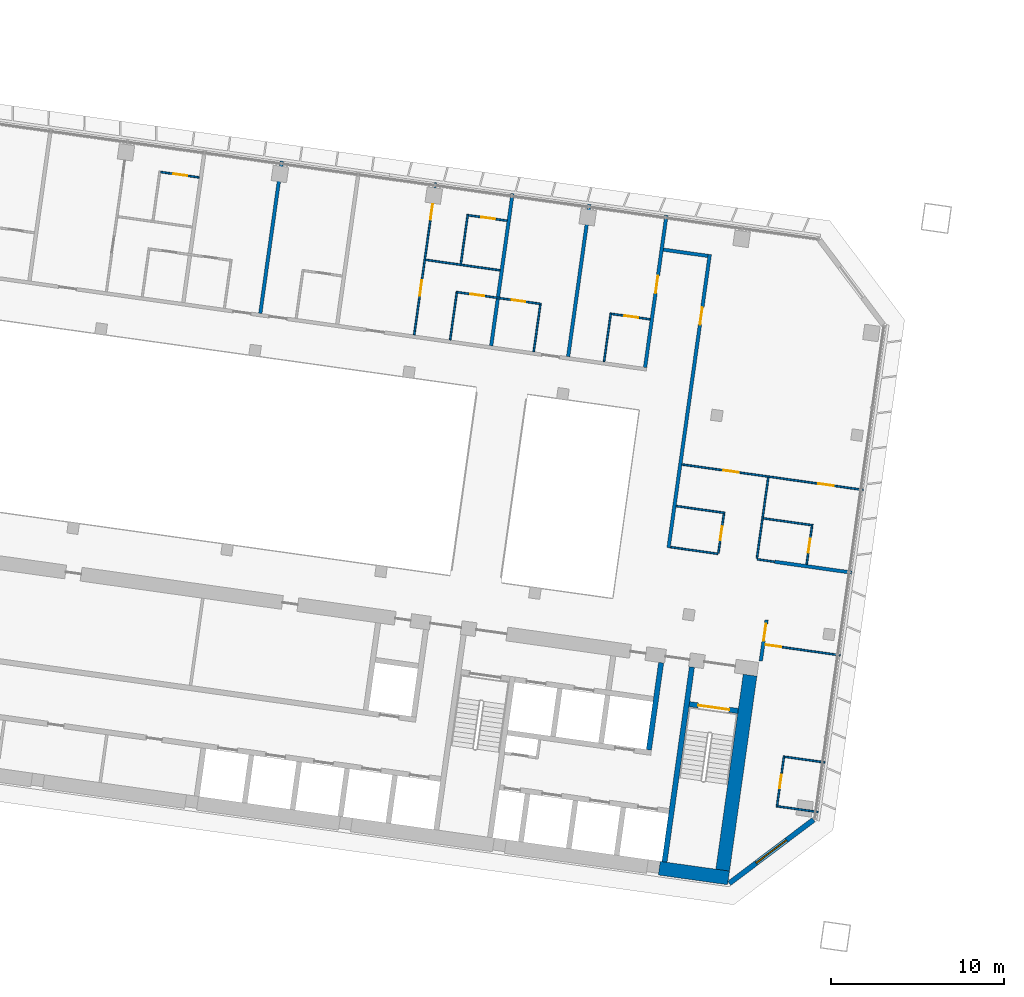
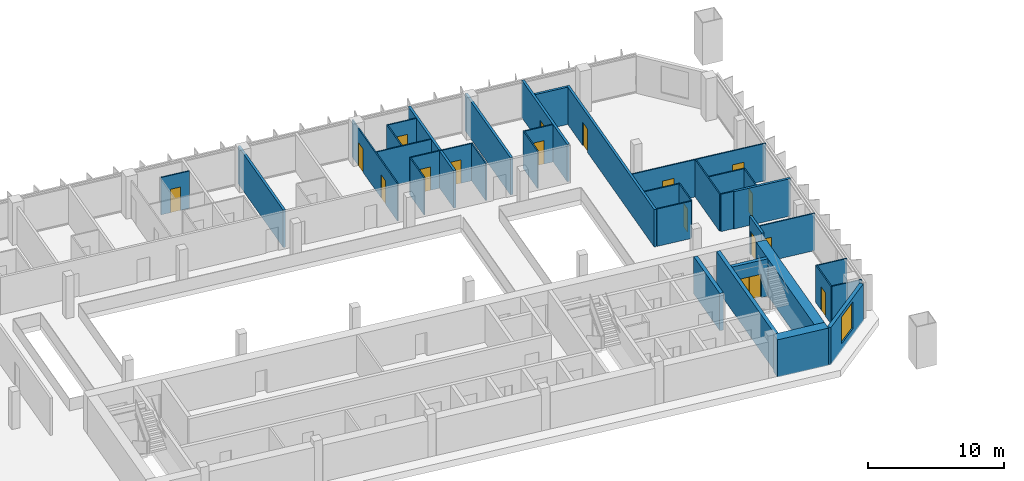
# One storey, part 18 of 26: 36 walls, 17 doors, 1 window, 18 openings.
"""IFC4 building model written with IfcOpenShell, lengths in metres."""

import ifcopenshell
import ifcopenshell.guid

model = None  # the IFC model being written
_history = None  # IfcOwnerHistory: only IFC2X3 demands one
_inside = {}  # id of a spatial element -> (the spatial element, [elements in it])
_under = {}  # id of a project, library or spatial element -> (it, [spatial elements below it])
_declared = {}  # id of a project -> (the project, [libraries it declares])
_typed = {}  # id of a type object -> (the type object, [elements of that type])
_made_of = {}  # id of a material, layer set ... -> (it, [elements and type objects made of it])


def new_model(schema):
    """Start an empty IFC model of exactly this schema.

    Asked for "IFC4X3", IfcOpenShell would pick the latest addendum, in which some entities
    have other attributes; the version numbers below select the first issue.
    IFC2X3 requires an IfcOwnerHistory on every rooted entity: one is made here for all.
    """
    global model, _history
    if schema == "IFC4X3":
        model = ifcopenshell.file(schema_version=(4, 3, 0, 0))
    else:
        model = ifcopenshell.file(schema=schema)
    _inside.clear()
    _under.clear()
    _declared.clear()
    _typed.clear()
    _made_of.clear()
    _history = None
    if model.schema == "IFC2X3":
        org = make("IfcOrganization", Name="unknown")
        user = make(
            "IfcPersonAndOrganization",
            ThePerson=make("IfcPerson", FamilyName="unknown"),
            TheOrganization=org,
        )
        app = make(
            "IfcApplication",
            ApplicationDeveloper=org,
            Version="unknown",
            ApplicationFullName="unknown",
            ApplicationIdentifier="unknown",
        )
        _history = make(
            "IfcOwnerHistory",
            OwningUser=user,
            OwningApplication=app,
            ChangeAction="ADDED",
            CreationDate=0,
        )
    return model


def make(cls, **values):
    """One entity of the class cls with the attributes given. An attribute that is None is left unset."""
    return model.create_entity(
        cls, **{name: value for name, value in values.items() if value is not None}
    )


def rooted(cls, **values):
    """An entity with a GlobalId (a new one), such as an element, a storey or a relation."""
    return make(cls, GlobalId=ifcopenshell.guid.new(), OwnerHistory=_history, **values)


def si_unit(unit_type, name, prefix=None):
    """IfcSIUnit, for example si_unit("LENGTHUNIT", "METRE", prefix="MILLI")."""
    return make("IfcSIUnit", UnitType=unit_type, Prefix=prefix, Name=name)


def assignment(units):
    """IfcUnitAssignment: the units of a project."""
    return None if units is None else make("IfcUnitAssignment", Units=units)


def point(xyz):
    """IfcCartesianPoint."""
    return None if xyz is None else make("IfcCartesianPoint", Coordinates=xyz)


def direction(xyz):
    """IfcDirection."""
    return None if xyz is None else make("IfcDirection", DirectionRatios=xyz)


def frame(location, z_axis=None, x_axis=None):
    """IfcAxis2Placement3D, a coordinate frame: its origin and axes. An axis left out is left unset."""
    return make(
        "IfcAxis2Placement3D",
        Location=point(location),
        Axis=direction(z_axis),
        RefDirection=direction(x_axis),
    )


def frame_2d(location, x_axis=None):
    """IfcAxis2Placement2D, a coordinate frame in the plane: its origin and x axis."""
    return make(
        "IfcAxis2Placement2D", Location=point(location), RefDirection=direction(x_axis)
    )


def origin():
    """The frame at (0, 0, 0) with its axes left unset."""
    return frame((0.0, 0.0, 0.0))


def place(relative_to, where):
    """IfcLocalPlacement: puts the frame where relative to a parent placement (None: the world)."""
    return make(
        "IfcLocalPlacement", PlacementRelTo=relative_to, RelativePlacement=where
    )


def context(
    kind, dimensions, precision=None, world=None, true_north=None, identifier=None
):
    """IfcGeometricRepresentationContext, for example the 3D "Model" context."""
    return make(
        "IfcGeometricRepresentationContext",
        ContextIdentifier=identifier,
        ContextType=kind,
        CoordinateSpaceDimension=dimensions,
        Precision=precision,
        WorldCoordinateSystem=world,
        TrueNorth=true_north,
    )


def subcontext(parent, identifier, kind, view, scale=None):
    """IfcGeometricRepresentationSubContext, for example "Body" below "Model"."""
    return make(
        "IfcGeometricRepresentationSubContext",
        ContextIdentifier=identifier,
        ContextType=kind,
        ParentContext=parent,
        TargetScale=scale,
        TargetView=view,
    )


def project(units=None, contexts=None):
    """IfcProject with its units and contexts."""
    return rooted(
        "IfcProject",
        Name="project",
        RepresentationContexts=contexts,
        UnitsInContext=assignment(units),
    )


def spatial(cls, under=None, at=None, **own):
    """A site, building, storey or space (cls), placed at a placement, below another one or the project."""
    s = rooted(cls, ObjectPlacement=at, **own)
    if under is not None:
        _under.setdefault(under.id(), (under, []))[1].append(s)
    return s


def profile(cls, at=None, kind="AREA", **sizes):
    """A parametric profile (cls). Its sizes go by their IFC names, for example OverallWidth=200.0."""
    return make(cls, ProfileType=kind, Position=at, **sizes)


def rectangle(**sizes):
    """IfcRectangleProfileDef."""
    return profile("IfcRectangleProfileDef", **sizes)


def extrude(swept, where, along, depth):
    """IfcExtrudedAreaSolid: the profile swept, set in the frame where, extruded along a direction by depth."""
    return make(
        "IfcExtrudedAreaSolid",
        SweptArea=swept,
        Position=where,
        ExtrudedDirection=direction(along),
        Depth=depth,
    )


def shape(context_of_items, identifier, shape_type, items):
    """IfcShapeRepresentation: the items that make up one representation, for example the "Body"."""
    return make(
        "IfcShapeRepresentation",
        ContextOfItems=context_of_items,
        RepresentationIdentifier=identifier,
        RepresentationType=shape_type,
        Items=items,
    )


def material(Name=None, Category=None):
    """IfcMaterial."""
    return make("IfcMaterial", Name=Name, Category=Category)


def layer(
    of_material, thickness, ventilated=None, Name=None, Category=None, Priority=None
):
    """IfcMaterialLayer: one layer of a wall or slab, of a material (None: an air gap)."""
    return make(
        "IfcMaterialLayer",
        Material=of_material,
        LayerThickness=thickness,
        IsVentilated=ventilated,
        Name=Name,
        Category=Category,
        Priority=Priority,
    )


def layer_set(layers, Name=None):
    """IfcMaterialLayerSet."""
    return make("IfcMaterialLayerSet", MaterialLayers=layers, LayerSetName=Name)


def made_of(thing, what):
    """Note that an element or type object is made of a material, layer set ...; save() writes the relation."""
    if what is not None:
        _made_of.setdefault(what.id(), (what, []))[1].append(thing)
    return thing


def type_object(cls, material=None, **own):
    """A type object (cls), such as IfcWallType, which elements share."""
    return made_of(rooted(cls, **own), material)


def element(
    cls,
    number,
    at=None,
    inside=None,
    cuts=None,
    type_object=None,
    material=None,
    context=None,
    identifier="Body",
    shape_type=None,
    held_by="IfcProductDefinitionShape",
    body=None,
    shapes=None,
    **own,
):
    """One element of the class cls, such as IfcWall. Its Tag is "e" and its number.

    at: its placement. inside: the storey or other place that contains it. cuts: it is an
    opening in that element (IfcRelVoidsElement). A single representation is given by context,
    identifier, shape_type and body (its items); several are given by shapes. held_by: the class
    of the entity that holds the representations. save() writes the other relations.
    """
    e = rooted(cls, Tag="e%d" % number, ObjectPlacement=at, **own)
    if body is not None:
        shapes = [shape(context, identifier, shape_type, body)]
    if shapes is not None:
        e.Representation = make(held_by, Representations=shapes)
    if inside is not None:
        _inside.setdefault(inside.id(), (inside, []))[1].append(e)
    if cuts is not None:
        rooted(
            "IfcRelVoidsElement", RelatingBuildingElement=cuts, RelatedOpeningElement=e
        )
    if type_object is not None:
        _typed.setdefault(type_object.id(), (type_object, []))[1].append(e)
    return made_of(e, material)


def fill(opening, filler):
    """IfcRelFillsElement: the door or window that sits in an opening."""
    return rooted(
        "IfcRelFillsElement",
        RelatingOpeningElement=opening,
        RelatedBuildingElement=filler,
    )


def aggregate(whole, parts):
    """IfcRelAggregates: a whole, such as a stair, and the parts it consists of."""
    return rooted("IfcRelAggregates", RelatingObject=whole, RelatedObjects=parts)


def save(model, path):
    """Write the relations noted so far, then the file.

    IfcRelAggregates (storeys below a building ...), IfcRelContainedInSpatialStructure (elements
    in a storey), IfcRelDefinesByType, IfcRelAssociatesMaterial and IfcRelDeclares: one each for
    every whole, place, type object, material and project.
    """
    for whole, parts in _under.values():
        aggregate(whole, parts)
    for where, things in _inside.values():
        rooted(
            "IfcRelContainedInSpatialStructure",
            RelatedElements=things,
            RelatingStructure=where,
        )
    for kind, things in _typed.values():
        rooted("IfcRelDefinesByType", RelatedObjects=things, RelatingType=kind)
    for what, things in _made_of.values():
        rooted("IfcRelAssociatesMaterial", RelatedObjects=things, RelatingMaterial=what)
    for by, libraries in _declared.values():
        rooted("IfcRelDeclares", RelatingContext=by, RelatedDefinitions=libraries)
    model.write(path)


model = new_model("IFC4")

# Units and contexts
model_context = context("Model", 3, precision=1e-05, world=origin(), true_north=direction((0.0, 1.0)))
body_context = subcontext(model_context, "Body", "Model", "MODEL_VIEW")
ifc_project = project(units=[si_unit("LENGTHUNIT", "METRE"), si_unit("AREAUNIT", "SQUARE_METRE"), si_unit("VOLUMEUNIT", "CUBIC_METRE"), si_unit("PLANEANGLEUNIT", "RADIAN"), si_unit("MASSUNIT", "GRAM", prefix="KILO")], contexts=[model_context])

# Site, building, storey
site_placement = place(None, origin())
site = spatial("IfcSite", under=ifc_project, at=site_placement, CompositionType="ELEMENT")
building_placement = place(site_placement, origin())
building = spatial("IfcBuilding", under=site, at=building_placement, Name="Mirante Cascada Hotel Towers", CompositionType="ELEMENT")
storey_placement = place(building_placement, frame((0.0, 0.0, 144.3)))
storey = spatial("IfcBuildingStorey", under=building, at=storey_placement, Name="L33", CompositionType="ELEMENT", Elevation=144.3)

# Walls
ifc_material_1 = material(Name="Fire-rated plasterboard on metal studs")
ifc_layer_1 = layer(ifc_material_1, 0.2)
ifc_layer_set_1 = layer_set([ifc_layer_1], Name="Compartment wall 200 EI 120")
wall_type_1 = type_object("IfcWallType", Name="Compartment wall 200 EI 120", PredefinedType="PARTITIONING", material=ifc_layer_set_1)
wall_1_placement = place(storey_placement, frame((-30.0, -2.0, 0.0), z_axis=(0.0, 0.0, 1.0), x_axis=(-0.9902674, 0.1391779, 0.0)))
element("IfcWall", 1, at=wall_1_placement, inside=storey, type_object=wall_type_1, Name="Wall 1-L33-04", PredefinedType="PARTITIONING", context=body_context, shape_type="SweptSolid", body=[
    extrude(rectangle(XDim=4.5, YDim=0.2, at=frame_2d((2.25, 0.0))), origin(), (0.0, 0.0, 1.0), 3.35),
])
wall_2_placement = place(storey_placement, frame((-38.329, 16.3376, 0.0), z_axis=(0.0, 0.0, 1.0), x_axis=(-0.9902647, 0.1391971, 0.0)))
element("IfcWall", 2, at=wall_2_placement, inside=storey, type_object=wall_type_1, Name="Wall 1-L33-26", PredefinedType="PARTITIONING", context=body_context, shape_type="SweptSolid", body=[
    extrude(rectangle(XDim=2.5999, YDim=0.2, at=frame_2d((1.3, 0.0))), origin(), (0.0, 0.0, 1.0), 3.35),
])

# Wall, opening, door
wall_3_placement = place(storey_placement, frame((-35.2634, -7.1173, 0.0), z_axis=(0.0, 0.0, 1.0), x_axis=(0.1391635, 0.9902694, 0.0)))
wall_3 = element("IfcWall", 3, at=wall_3_placement, inside=storey, type_object=wall_type_1, Name="Wall 1-L33-32", PredefinedType="PARTITIONING", context=body_context, shape_type="SweptSolid", body=[
    extrude(rectangle(XDim=2.4001, YDim=0.2, at=frame_2d((1.2, 0.0))), origin(), (0.0, 0.0, 1.0), 3.35),
])
opening_1_placement = place(wall_3_placement, frame((1.1833, 0.0, 0.0)))
opening_1 = element("IfcOpeningElement", 4, at=opening_1_placement, cuts=wall_3, Name="Opening D1-L33-24", PredefinedType="OPENING", context=body_context, shape_type="SweptSolid", body=[
    extrude(rectangle(XDim=1.0, YDim=2.1, at=frame_2d((0.5, 1.05))), frame((0.0, 0.1, 0.0), z_axis=(0.0, -1.0, 0.0), x_axis=(1.0, 0.0, 0.0)), (0.0, 0.0, 1.0), 0.2),
])
ifc_material_2 = material(Name="Fire-rated timber door leaf", Category="wood")
door_type_1 = type_object("IfcDoorType", Name="Entrance door DG1 1000x2100 EI 60", OperationType="SINGLE_SWING_LEFT", PredefinedType="DOOR", material=ifc_material_2)
door_1_placement = place(opening_1_placement, frame((1.0, 0.0, 0.0), z_axis=(0.0, 0.0, 1.0), x_axis=(-1.0, 0.0, 0.0)))
door_1 = element("IfcDoor", 5, at=door_1_placement, inside=storey, type_object=door_type_1, Name="Door D1-L33-24", OperationType="SINGLE_SWING_RIGHT", OverallHeight=2.1, OverallWidth=1.0, PredefinedType="DOOR", context=body_context, shape_type="SweptSolid", body=[
    extrude(rectangle(XDim=1.0, YDim=2.1, at=frame_2d((0.5, 1.05))), frame((0.0, 0.025, 0.0), z_axis=(0.0, -1.0, 0.0), x_axis=(1.0, 0.0, 0.0)), (0.0, 0.0, 1.0), 0.05),
])
fill(opening_1, door_1)

wall_4_placement = place(storey_placement, frame((-38.216, 16.4227, 0.0), z_axis=(0.0, 0.0, 1.0), x_axis=(-0.139172, -0.9902682, 0.0)))
wall_4 = element("IfcWall", 6, at=wall_4_placement, inside=storey, type_object=wall_type_1, Name="Wall 1-L33-35", PredefinedType="PARTITIONING", context=body_context, shape_type="SweptSolid", body=[
    extrude(rectangle(XDim=17.15, YDim=0.2, at=frame_2d((8.575, 0.0))), origin(), (0.0, 0.0, 1.0), 3.35),
])
opening_2_placement = place(wall_4_placement, frame((3.1, 0.0, 0.0)))
opening_2 = element("IfcOpeningElement", 7, at=opening_2_placement, cuts=wall_4, Name="Opening D1-L33-26", PredefinedType="OPENING", context=body_context, shape_type="SweptSolid", body=[
    extrude(rectangle(XDim=1.0, YDim=2.1, at=frame_2d((0.5, 1.05))), frame((0.0, 0.1, 0.0), z_axis=(0.0, -1.0, 0.0), x_axis=(1.0, 0.0, 0.0)), (0.0, 0.0, 1.0), 0.2),
])
door_2_placement = place(opening_2_placement, origin())
door_2 = element("IfcDoor", 8, at=door_2_placement, inside=storey, type_object=door_type_1, Name="Door D1-L33-26", OperationType="SINGLE_SWING_LEFT", OverallHeight=2.1, OverallWidth=1.0, PredefinedType="DOOR", context=body_context, shape_type="SweptSolid", body=[
    extrude(rectangle(XDim=1.0, YDim=2.1, at=frame_2d((0.5, 1.05))), frame((0.0, 0.025, 0.0), z_axis=(0.0, -1.0, 0.0), x_axis=(1.0, 0.0, 0.0)), (0.0, 0.0, 1.0), 0.05),
])
fill(opening_2, door_2)

wall_5_placement = place(storey_placement, frame((-41.963, 9.8805, 0.0), z_axis=(0.0, 0.0, 1.0), x_axis=(0.1391794, 0.9902672, 0.0)))
wall_5 = element("IfcWall", 9, at=wall_5_placement, inside=storey, type_object=wall_type_1, Name="Wall 1-L33-36", PredefinedType="PARTITIONING", context=body_context, shape_type="SweptSolid", body=[
    extrude(rectangle(XDim=8.9, YDim=0.2, at=frame_2d((4.45, 0.0))), origin(), (0.0, 0.0, 1.0), 3.35),
])
opening_3_placement = place(wall_5_placement, frame((4.35, 0.0, 0.0)))
opening_3 = element("IfcOpeningElement", 10, at=opening_3_placement, cuts=wall_5, Name="Opening D1-L33-27", PredefinedType="OPENING", context=body_context, shape_type="SweptSolid", body=[
    extrude(rectangle(XDim=1.0, YDim=2.1, at=frame_2d((0.5, 1.05))), frame((0.0, 0.1, 0.0), z_axis=(0.0, -1.0, 0.0), x_axis=(1.0, 0.0, 0.0)), (0.0, 0.0, 1.0), 0.2),
])
door_3_placement = place(opening_3_placement, origin())
door_3 = element("IfcDoor", 11, at=door_3_placement, inside=storey, type_object=door_type_1, Name="Door D1-L33-27", OperationType="SINGLE_SWING_LEFT", OverallHeight=2.1, OverallWidth=1.0, PredefinedType="DOOR", context=body_context, shape_type="SweptSolid", body=[
    extrude(rectangle(XDim=1.0, YDim=2.1, at=frame_2d((0.5, 1.05))), frame((0.0, 0.025, 0.0), z_axis=(0.0, -1.0, 0.0), x_axis=(1.0, 0.0, 0.0)), (0.0, 0.0, 1.0), 0.05),
])
fill(opening_3, door_3)

# Walls
for number, where, z_axis, x_axis, name in (
    (12, (-46.4192, 10.5068, 0.0), (0.0, 0.0, 1.0), (0.1391794, 0.9902672, 0.0), "Wall 1-L33-38"),
    (13, (-50.8754, 11.1331, 0.0), (0.0, 0.0, 1.0), (0.1391794, 0.9902672, 0.0), "Wall 1-L33-40"),
    (14, (-64.244, 13.0119, 0.0), (0.0, 0.0, 1.0), (0.1391684, 0.9902687, 0.0), "Wall 1-L33-46"),
):
    element("IfcWall", number, at=place(storey_placement, frame(where, z_axis=z_axis, x_axis=x_axis)), inside=storey, type_object=wall_type_1, Name=name, PredefinedType="PARTITIONING", context=body_context, shape_type="SweptSolid", body=[
        extrude(rectangle(XDim=8.9, YDim=0.2, at=frame_2d((4.45, 0.0))), origin(), (0.0, 0.0, 1.0), 3.35),
    ])
ifc_material_3 = material(Name="Plasterboard on metal studs")
ifc_layer_2 = layer(ifc_material_3, 0.1)
ifc_layer_set_2 = layer_set([ifc_layer_2], Name="Partition 100")
wall_type_2 = type_object("IfcWallType", Name="Partition 100", PredefinedType="PARTITIONING", material=ifc_layer_set_2)
for number, where, z_axis, x_axis, name in (
    (15, (-34.2756, -15.5367, 0.0), (0.0, 0.0, 1.0), (0.9902661, -0.139187, 0.0), "Wall 1-L33-01"),
    (16, (-31.5448, -12.992, 0.0), (0.0, 0.0, 1.0), (-0.9902661, 0.139187, 0.0), "Wall 1-L33-02"),
):
    element("IfcWall", number, at=place(storey_placement, frame(where, z_axis=z_axis, x_axis=x_axis)), inside=storey, type_object=wall_type_2, Name=name, PredefinedType="PARTITIONING", context=body_context, shape_type="SweptSolid", body=[
        extrude(rectangle(XDim=2.3501, YDim=0.1, at=frame_2d((1.175, 0.0))), origin(), (0.0, 0.0, 1.0), 3.35),
    ])

# Wall, opening, door
wall_6_placement = place(storey_placement, frame((-35.0298, -6.1739, 0.0), z_axis=(0.0, 0.0, 1.0), x_axis=(0.9902665, -0.1391841, 0.0)))
wall_6 = element("IfcWall", 17, at=wall_6_placement, inside=storey, type_object=wall_type_2, Name="Wall 1-L33-03", PredefinedType="PARTITIONING", context=body_context, shape_type="SweptSolid", body=[
    extrude(rectangle(XDim=4.3999, YDim=0.1, at=frame_2d((2.2, 0.0))), origin(), (0.0, 0.0, 1.0), 3.35),
])
opening_4_placement = place(wall_6_placement, frame((0.05, 0.0, 0.0)))
opening_4 = element("IfcOpeningElement", 18, at=opening_4_placement, cuts=wall_6, Name="Opening D1-L33-01", PredefinedType="OPENING", context=body_context, shape_type="SweptSolid", body=[
    extrude(rectangle(XDim=0.9, YDim=2.1, at=frame_2d((0.45, 1.05))), frame((0.0, 0.05, 0.0), z_axis=(0.0, -1.0, 0.0), x_axis=(1.0, 0.0, 0.0)), (0.0, 0.0, 1.0), 0.1),
])
ifc_material_4 = material(Name="Timber door leaf", Category="wood")
door_type_2 = type_object("IfcDoorType", Name="Room door DG3 900x2100", OperationType="SINGLE_SWING_LEFT", PredefinedType="DOOR", material=ifc_material_4)
door_4_placement = place(opening_4_placement, frame((0.9, 0.0, 0.0), z_axis=(0.0, 0.0, 1.0), x_axis=(-1.0, 0.0, 0.0)))
door_4 = element("IfcDoor", 19, at=door_4_placement, inside=storey, type_object=door_type_2, Name="Door D1-L33-01", OperationType="SINGLE_SWING_RIGHT", OverallHeight=2.1, OverallWidth=0.9, PredefinedType="DOOR", context=body_context, shape_type="SweptSolid", body=[
    extrude(rectangle(XDim=0.9, YDim=2.1, at=frame_2d((0.45, 1.05))), frame((0.0, 0.025, 0.0), z_axis=(0.0, -1.0, 0.0), x_axis=(1.0, 0.0, 0.0)), (0.0, 0.0, 1.0), 0.05),
])
fill(opening_4, door_4)

# Walls
wall_7_placement = place(storey_placement, frame((-35.4663, -1.2318, 0.0), z_axis=(0.0, 0.0, 1.0), x_axis=(0.9902801, -0.1390877, 0.0)))
element("IfcWall", 20, at=wall_7_placement, inside=storey, type_object=wall_type_2, Name="Wall 1-L33-05", PredefinedType="PARTITIONING", context=body_context, shape_type="SweptSolid", body=[
    extrude(rectangle(XDim=0.99, YDim=0.1, at=frame_2d((0.495, 0.0))), origin(), (0.0, 0.0, 1.0), 3.35),
])
wall_8_placement = place(storey_placement, frame((-37.7538, -0.9103, 0.0), z_axis=(0.0, 0.0, 1.0), x_axis=(-0.9902645, 0.1391984, 0.0)))
element("IfcWall", 21, at=wall_8_placement, inside=storey, type_object=wall_type_2, Name="Wall 1-L33-06", PredefinedType="PARTITIONING", context=body_context, shape_type="SweptSolid", body=[
    extrude(rectangle(XDim=2.74, YDim=0.1, at=frame_2d((1.37, 0.0))), origin(), (0.0, 0.0, 1.0), 3.35),
])
wall_9_placement = place(storey_placement, frame((-35.1125, 1.1421, 0.0), z_axis=(0.0, 0.0, 1.0), x_axis=(0.9902683, -0.1391714, 0.0)))
element("IfcWall", 22, at=wall_9_placement, inside=storey, type_object=wall_type_2, Name="Wall 1-L33-09", PredefinedType="PARTITIONING", context=body_context, shape_type="SweptSolid", body=[
    extrude(rectangle(XDim=2.9, YDim=0.1, at=frame_2d((1.45, 0.0))), origin(), (0.0, 0.0, 1.0), 3.35),
])
wall_10_placement = place(storey_placement, frame((-37.3406, 1.4552, 0.0), z_axis=(0.0, 0.0, 1.0), x_axis=(-0.9902649, 0.1391957, 0.0)))
element("IfcWall", 23, at=wall_10_placement, inside=storey, type_object=wall_type_2, Name="Wall 1-L33-10", PredefinedType="PARTITIONING", context=body_context, shape_type="SweptSolid", body=[
    extrude(rectangle(XDim=2.8499, YDim=0.1, at=frame_2d((1.425, 0.0))), origin(), (0.0, 0.0, 1.0), 3.35),
])

# Wall, openings, doors
wall_11_placement = place(storey_placement, frame((-39.8242, 4.2615, 0.0), z_axis=(0.0, 0.0, 1.0), x_axis=(0.9902686, -0.1391691, 0.0)))
wall_11 = element("IfcWall", 24, at=wall_11_placement, inside=storey, type_object=wall_type_2, Name="Wall 1-L33-11", PredefinedType="PARTITIONING", context=body_context, shape_type="SweptSolid", body=[
    extrude(rectangle(XDim=10.6001, YDim=0.1, at=frame_2d((5.3, 0.0))), origin(), (0.0, 0.0, 1.0), 3.35),
])
opening_5_placement = place(wall_11_placement, frame((7.975, 0.0, 0.0)))
opening_5 = element("IfcOpeningElement", 25, at=opening_5_placement, cuts=wall_11, Name="Opening D1-L33-02", PredefinedType="OPENING", context=body_context, shape_type="SweptSolid", body=[
    extrude(rectangle(XDim=0.9, YDim=2.1, at=frame_2d((0.45, 1.05))), frame((0.0, 0.05, 0.0), z_axis=(0.0, -1.0, 0.0), x_axis=(1.0, 0.0, 0.0)), (0.0, 0.0, 1.0), 0.1),
])
opening_6_placement = place(wall_11_placement, frame((2.425, 0.0, 0.0)))
opening_6 = element("IfcOpeningElement", 26, at=opening_6_placement, cuts=wall_11, Name="Opening D1-L33-03", PredefinedType="OPENING", context=body_context, shape_type="SweptSolid", body=[
    extrude(rectangle(XDim=0.9, YDim=2.1, at=frame_2d((0.45, 1.05))), frame((0.0, 0.05, 0.0), z_axis=(0.0, -1.0, 0.0), x_axis=(1.0, 0.0, 0.0)), (0.0, 0.0, 1.0), 0.1),
])
door_5_placement = place(opening_5_placement, origin())
door_5 = element("IfcDoor", 27, at=door_5_placement, inside=storey, type_object=door_type_2, Name="Door D1-L33-02", OperationType="SINGLE_SWING_LEFT", OverallHeight=2.1, OverallWidth=0.9, PredefinedType="DOOR", context=body_context, shape_type="SweptSolid", body=[
    extrude(rectangle(XDim=0.9, YDim=2.1, at=frame_2d((0.45, 1.05))), frame((0.0, 0.025, 0.0), z_axis=(0.0, -1.0, 0.0), x_axis=(1.0, 0.0, 0.0)), (0.0, 0.0, 1.0), 0.05),
])
fill(opening_5, door_5)
door_6_placement = place(opening_6_placement, origin())
door_6 = element("IfcDoor", 28, at=door_6_placement, inside=storey, type_object=door_type_2, Name="Door D1-L33-03", OperationType="SINGLE_SWING_LEFT", OverallHeight=2.1, OverallWidth=0.9, PredefinedType="DOOR", context=body_context, shape_type="SweptSolid", body=[
    extrude(rectangle(XDim=0.9, YDim=2.1, at=frame_2d((0.45, 1.05))), frame((0.0, 0.025, 0.0), z_axis=(0.0, -1.0, 0.0), x_axis=(1.0, 0.0, 0.0)), (0.0, 0.0, 1.0), 0.05),
])
fill(opening_6, door_6)

# Wall, opening, door
wall_12_placement = place(storey_placement, frame((-43.9004, 12.9804, 0.0), z_axis=(0.0, 0.0, 1.0), x_axis=(0.9902643, -0.1391997, 0.0)))
wall_12 = element("IfcWall", 29, at=wall_12_placement, inside=storey, type_object=wall_type_2, Name="Wall 1-L33-17", PredefinedType="PARTITIONING", context=body_context, shape_type="SweptSolid", body=[
    extrude(rectangle(XDim=2.25, YDim=0.1, at=frame_2d((1.125, 0.0))), origin(), (0.0, 0.0, 1.0), 3.35),
])
opening_7_placement = place(wall_12_placement, frame((0.75, 0.0, 0.0)))
opening_7 = element("IfcOpeningElement", 30, at=opening_7_placement, cuts=wall_12, Name="Opening D1-L33-12", PredefinedType="OPENING", context=body_context, shape_type="SweptSolid", body=[
    extrude(rectangle(XDim=0.8, YDim=2.1, at=frame_2d((0.4, 1.05))), frame((0.0, 0.05, 0.0), z_axis=(0.0, -1.0, 0.0), x_axis=(1.0, 0.0, 0.0)), (0.0, 0.0, 1.0), 0.1),
])
ifc_material_5 = material(Name="Timber door leaf", Category="wood")
door_type_3 = type_object("IfcDoorType", Name="Bathroom door DG4 800x2100", OperationType="SINGLE_SWING_LEFT", PredefinedType="DOOR", material=ifc_material_5)
door_7_placement = place(opening_7_placement, origin())
door_7 = element("IfcDoor", 31, at=door_7_placement, inside=storey, type_object=door_type_3, Name="Door D1-L33-12", OperationType="SINGLE_SWING_LEFT", OverallHeight=2.1, OverallWidth=0.8, PredefinedType="DOOR", context=body_context, shape_type="SweptSolid", body=[
    extrude(rectangle(XDim=0.8, YDim=2.1, at=frame_2d((0.4, 1.05))), frame((0.0, 0.025, 0.0), z_axis=(0.0, -1.0, 0.0), x_axis=(1.0, 0.0, 0.0)), (0.0, 0.0, 1.0), 0.05),
])
fill(opening_7, door_7)

# Wall, openings, doors
wall_13_placement = place(storey_placement, frame((-47.9729, 13.5527, 0.0), z_axis=(0.0, 0.0, 1.0), x_axis=(-0.9902689, 0.139167, 0.0)))
wall_13 = element("IfcWall", 32, at=wall_13_placement, inside=storey, type_object=wall_type_2, Name="Wall 1-L33-18", PredefinedType="PARTITIONING", context=body_context, shape_type="SweptSolid", body=[
    extrude(rectangle(XDim=4.9875, YDim=0.1, at=frame_2d((2.4938, 0.0))), origin(), (0.0, 0.0, 1.0), 3.35),
])
opening_8_placement = place(wall_13_placement, frame((0.9375, 0.0, 0.0)))
opening_8 = element("IfcOpeningElement", 33, at=opening_8_placement, cuts=wall_13, Name="Opening D1-L33-13", PredefinedType="OPENING", context=body_context, shape_type="SweptSolid", body=[
    extrude(rectangle(XDim=0.8, YDim=2.1, at=frame_2d((0.4, 1.05))), frame((0.0, 0.05, 0.0), z_axis=(0.0, -1.0, 0.0), x_axis=(1.0, 0.0, 0.0)), (0.0, 0.0, 1.0), 0.1),
])
opening_9_placement = place(wall_13_placement, frame((3.3375, 0.0, 0.0)))
opening_9 = element("IfcOpeningElement", 34, at=opening_9_placement, cuts=wall_13, Name="Opening D1-L33-14", PredefinedType="OPENING", context=body_context, shape_type="SweptSolid", body=[
    extrude(rectangle(XDim=0.8, YDim=2.1, at=frame_2d((0.4, 1.05))), frame((0.0, 0.05, 0.0), z_axis=(0.0, -1.0, 0.0), x_axis=(1.0, 0.0, 0.0)), (0.0, 0.0, 1.0), 0.1),
])
door_8_placement = place(opening_8_placement, frame((0.8, 0.0, 0.0), z_axis=(0.0, 0.0, 1.0), x_axis=(-1.0, 0.0, 0.0)))
door_8 = element("IfcDoor", 35, at=door_8_placement, inside=storey, type_object=door_type_3, Name="Door D1-L33-13", OperationType="SINGLE_SWING_RIGHT", OverallHeight=2.1, OverallWidth=0.8, PredefinedType="DOOR", context=body_context, shape_type="SweptSolid", body=[
    extrude(rectangle(XDim=0.8, YDim=2.1, at=frame_2d((0.4, 1.05))), frame((0.0, 0.025, 0.0), z_axis=(0.0, -1.0, 0.0), x_axis=(1.0, 0.0, 0.0)), (0.0, 0.0, 1.0), 0.05),
])
fill(opening_8, door_8)
door_9_placement = place(opening_9_placement, origin())
door_9 = element("IfcDoor", 36, at=door_9_placement, inside=storey, type_object=door_type_3, Name="Door D1-L33-14", OperationType="SINGLE_SWING_LEFT", OverallHeight=2.1, OverallWidth=0.8, PredefinedType="DOOR", context=body_context, shape_type="SweptSolid", body=[
    extrude(rectangle(XDim=0.8, YDim=2.1, at=frame_2d((0.4, 1.05))), frame((0.0, 0.025, 0.0), z_axis=(0.0, -1.0, 0.0), x_axis=(1.0, 0.0, 0.0)), (0.0, 0.0, 1.0), 0.05),
])
fill(opening_9, door_9)

# Wall
wall_14_placement = place(storey_placement, frame((-54.6697, 16.1096, 0.0), z_axis=(0.0, 0.0, 1.0), x_axis=(0.9902683, -0.1391714, 0.0)))
element("IfcWall", 37, at=wall_14_placement, inside=storey, type_object=wall_type_2, Name="Wall 1-L33-23", PredefinedType="PARTITIONING", context=body_context, shape_type="SweptSolid", body=[
    extrude(rectangle(XDim=4.35, YDim=0.1, at=frame_2d((2.175, 0.0))), origin(), (0.0, 0.0, 1.0), 3.35),
])

# Wall, opening, door
wall_15_placement = place(storey_placement, frame((-49.9584, 18.376, 0.0), z_axis=(0.0, 0.0, 1.0), x_axis=(-0.9902705, 0.1391561, 0.0)))
wall_15 = element("IfcWall", 38, at=wall_15_placement, inside=storey, type_object=wall_type_2, Name="Wall 1-L33-28", PredefinedType="PARTITIONING", context=body_context, shape_type="SweptSolid", body=[
    extrude(rectangle(XDim=2.25, YDim=0.1, at=frame_2d((1.125, 0.0))), origin(), (0.0, 0.0, 1.0), 3.35),
])
opening_10_placement = place(wall_15_placement, frame((0.7, 0.0, 0.0)))
opening_10 = element("IfcOpeningElement", 39, at=opening_10_placement, cuts=wall_15, Name="Opening D1-L33-20", PredefinedType="OPENING", context=body_context, shape_type="SweptSolid", body=[
    extrude(rectangle(XDim=0.8, YDim=2.1, at=frame_2d((0.4, 1.05))), frame((0.0, 0.05, 0.0), z_axis=(0.0, -1.0, 0.0), x_axis=(1.0, 0.0, 0.0)), (0.0, 0.0, 1.0), 0.1),
])
door_10_placement = place(opening_10_placement, origin())
door_10 = element("IfcDoor", 40, at=door_10_placement, inside=storey, type_object=door_type_3, Name="Door D1-L33-20", OperationType="SINGLE_SWING_LEFT", OverallHeight=2.1, OverallWidth=0.8, PredefinedType="DOOR", context=body_context, shape_type="SweptSolid", body=[
    extrude(rectangle(XDim=0.8, YDim=2.1, at=frame_2d((0.4, 1.05))), frame((0.0, 0.025, 0.0), z_axis=(0.0, -1.0, 0.0), x_axis=(1.0, 0.0, 0.0)), (0.0, 0.0, 1.0), 0.05),
])
fill(opening_10, door_10)

wall_16_placement = place(storey_placement, frame((-70.0114, 21.1942, 0.0), z_axis=(0.0, 0.0, 1.0), x_axis=(0.9902705, -0.1391561, 0.0)))
wall_16 = element("IfcWall", 41, at=wall_16_placement, inside=storey, type_object=wall_type_2, Name="Wall 1-L33-29", PredefinedType="PARTITIONING", context=body_context, shape_type="SweptSolid", body=[
    extrude(rectangle(XDim=2.25, YDim=0.1, at=frame_2d((1.125, 0.0))), origin(), (0.0, 0.0, 1.0), 3.35),
])
opening_11_placement = place(wall_16_placement, frame((0.75, 0.0, 0.0)))
opening_11 = element("IfcOpeningElement", 42, at=opening_11_placement, cuts=wall_16, Name="Opening D1-L33-21", PredefinedType="OPENING", context=body_context, shape_type="SweptSolid", body=[
    extrude(rectangle(XDim=0.8, YDim=2.1, at=frame_2d((0.4, 1.05))), frame((0.0, 0.05, 0.0), z_axis=(0.0, -1.0, 0.0), x_axis=(1.0, 0.0, 0.0)), (0.0, 0.0, 1.0), 0.1),
])
door_11_placement = place(opening_11_placement, frame((0.8, 0.0, 0.0), z_axis=(0.0, 0.0, 1.0), x_axis=(-1.0, 0.0, 0.0)))
door_11 = element("IfcDoor", 43, at=door_11_placement, inside=storey, type_object=door_type_3, Name="Door D1-L33-21", OperationType="SINGLE_SWING_RIGHT", OverallHeight=2.1, OverallWidth=0.8, PredefinedType="DOOR", context=body_context, shape_type="SweptSolid", body=[
    extrude(rectangle(XDim=0.8, YDim=2.1, at=frame_2d((0.4, 1.05))), frame((0.0, 0.025, 0.0), z_axis=(0.0, -1.0, 0.0), x_axis=(1.0, 0.0, 0.0)), (0.0, 0.0, 1.0), 0.05),
])
fill(opening_11, door_11)

wall_17_placement = place(storey_placement, frame((-34.332, -15.5793, 0.0), z_axis=(0.0, 0.0, 1.0), x_axis=(0.1391624, 0.9902696, 0.0)))
wall_17 = element("IfcWall", 44, at=wall_17_placement, inside=storey, type_object=wall_type_2, Name="Wall 1-L33-30", PredefinedType="PARTITIONING", context=body_context, shape_type="SweptSolid", body=[
    extrude(rectangle(XDim=3.0001, YDim=0.1, at=frame_2d((1.5001, 0.0))), origin(), (0.0, 0.0, 1.0), 3.35),
])
opening_12_placement = place(wall_17_placement, frame((1.1, 0.0, 0.0)))
opening_12 = element("IfcOpeningElement", 45, at=opening_12_placement, cuts=wall_17, Name="Opening D1-L33-22", PredefinedType="OPENING", context=body_context, shape_type="SweptSolid", body=[
    extrude(rectangle(XDim=0.8, YDim=2.1, at=frame_2d((0.4, 1.05))), frame((0.0, 0.05, 0.0), z_axis=(0.0, -1.0, 0.0), x_axis=(1.0, 0.0, 0.0)), (0.0, 0.0, 1.0), 0.1),
])
door_12_placement = place(opening_12_placement, origin())
door_12 = element("IfcDoor", 46, at=door_12_placement, inside=storey, type_object=door_type_3, Name="Door D1-L33-22", OperationType="SINGLE_SWING_LEFT", OverallHeight=2.1, OverallWidth=0.8, PredefinedType="DOOR", context=body_context, shape_type="SweptSolid", body=[
    extrude(rectangle(XDim=0.8, YDim=2.1, at=frame_2d((0.4, 1.05))), frame((0.0, 0.025, 0.0), z_axis=(0.0, -1.0, 0.0), x_axis=(1.0, 0.0, 0.0)), (0.0, 0.0, 1.0), 0.05),
])
fill(opening_12, door_12)

wall_18_placement = place(storey_placement, frame((-32.2972, 0.6959, 0.0), z_axis=(0.0, 0.0, 1.0), x_axis=(-0.1391561, -0.9902705, 0.0)))
wall_18 = element("IfcWall", 47, at=wall_18_placement, inside=storey, type_object=wall_type_2, Name="Wall 1-L33-31", PredefinedType="PARTITIONING", context=body_context, shape_type="SweptSolid", body=[
    extrude(rectangle(XDim=2.25, YDim=0.1, at=frame_2d((1.125, 0.0))), origin(), (0.0, 0.0, 1.0), 3.35),
])
opening_13_placement = place(wall_18_placement, frame((0.75, 0.0, 0.0)))
opening_13 = element("IfcOpeningElement", 48, at=opening_13_placement, cuts=wall_18, Name="Opening D1-L33-23", PredefinedType="OPENING", context=body_context, shape_type="SweptSolid", body=[
    extrude(rectangle(XDim=0.8, YDim=2.1, at=frame_2d((0.4, 1.05))), frame((0.0, 0.05, 0.0), z_axis=(0.0, -1.0, 0.0), x_axis=(1.0, 0.0, 0.0)), (0.0, 0.0, 1.0), 0.1),
])
door_13_placement = place(opening_13_placement, frame((0.8, 0.0, 0.0), z_axis=(0.0, 0.0, 1.0), x_axis=(-1.0, 0.0, 0.0)))
door_13 = element("IfcDoor", 49, at=door_13_placement, inside=storey, type_object=door_type_3, Name="Door D1-L33-23", OperationType="SINGLE_SWING_RIGHT", OverallHeight=2.1, OverallWidth=0.8, PredefinedType="DOOR", context=body_context, shape_type="SweptSolid", body=[
    extrude(rectangle(XDim=0.8, YDim=2.1, at=frame_2d((0.4, 1.05))), frame((0.0, 0.025, 0.0), z_axis=(0.0, -1.0, 0.0), x_axis=(1.0, 0.0, 0.0)), (0.0, 0.0, 1.0), 0.05),
])
fill(opening_13, door_13)

# Wall
wall_19_placement = place(storey_placement, frame((-34.8303, 3.5092, 0.0), z_axis=(0.0, 0.0, 1.0), x_axis=(-0.1391613, -0.9902697, 0.0)))
element("IfcWall", 50, at=wall_19_placement, inside=storey, type_object=wall_type_2, Name="Wall 1-L33-33", PredefinedType="PARTITIONING", context=body_context, shape_type="SweptSolid", body=[
    extrude(rectangle(XDim=4.7334, YDim=0.1, at=frame_2d((2.3667, 0.0))), origin(), (0.0, 0.0, 1.0), 3.35),
])

# Wall, opening, door
wall_20_placement = place(storey_placement, frame((-37.7171, -0.8649, 0.0), z_axis=(0.0, 0.0, 1.0), x_axis=(0.1391749, 0.9902678, 0.0)))
wall_20 = element("IfcWall", 51, at=wall_20_placement, inside=storey, type_object=wall_type_2, Name="Wall 1-L33-34", PredefinedType="PARTITIONING", context=body_context, shape_type="SweptSolid", body=[
    extrude(rectangle(XDim=2.3, YDim=0.1, at=frame_2d((1.15, 0.0))), origin(), (0.0, 0.0, 1.0), 3.35),
])
opening_14_placement = place(wall_20_placement, frame((0.75, 0.0, 0.0)))
opening_14 = element("IfcOpeningElement", 52, at=opening_14_placement, cuts=wall_20, Name="Opening D1-L33-25", PredefinedType="OPENING", context=body_context, shape_type="SweptSolid", body=[
    extrude(rectangle(XDim=0.8, YDim=2.1, at=frame_2d((0.4, 1.05))), frame((0.0, 0.05, 0.0), z_axis=(0.0, -1.0, 0.0), x_axis=(1.0, 0.0, 0.0)), (0.0, 0.0, 1.0), 0.1),
])
door_14_placement = place(opening_14_placement, origin())
door_14 = element("IfcDoor", 53, at=door_14_placement, inside=storey, type_object=door_type_3, Name="Door D1-L33-25", OperationType="SINGLE_SWING_LEFT", OverallHeight=2.1, OverallWidth=0.8, PredefinedType="DOOR", context=body_context, shape_type="SweptSolid", body=[
    extrude(rectangle(XDim=0.8, YDim=2.1, at=frame_2d((0.4, 1.05))), frame((0.0, 0.025, 0.0), z_axis=(0.0, -1.0, 0.0), x_axis=(1.0, 0.0, 0.0)), (0.0, 0.0, 1.0), 0.05),
])
fill(opening_14, door_14)

# Walls
wall_21_placement = place(storey_placement, frame((-43.943, 13.0368, 0.0), z_axis=(0.0, 0.0, 1.0), x_axis=(-0.1391613, -0.9902697, 0.0)))
element("IfcWall", 54, at=wall_21_placement, inside=storey, type_object=wall_type_2, Name="Wall 1-L33-37", PredefinedType="PARTITIONING", context=body_context, shape_type="SweptSolid", body=[
    extrude(rectangle(XDim=2.8499, YDim=0.1, at=frame_2d((1.425, 0.0))), origin(), (0.0, 0.0, 1.0), 3.35),
])
wall_22_placement = place(storey_placement, frame((-48.0294, 13.5101, 0.0), z_axis=(0.0, 0.0, 1.0), x_axis=(-0.1391657, -0.9902691, 0.0)))
element("IfcWall", 55, at=wall_22_placement, inside=storey, type_object=wall_type_2, Name="Wall 1-L33-39", PredefinedType="PARTITIONING", context=body_context, shape_type="SweptSolid", body=[
    extrude(rectangle(XDim=2.75, YDim=0.1, at=frame_2d((1.375, 0.0))), origin(), (0.0, 0.0, 1.0), 3.35),
])
wall_23_placement = place(storey_placement, frame((-52.8693, 14.1904, 0.0), z_axis=(0.0, 0.0, 1.0), x_axis=(-0.1391607, -0.9902698, 0.0)))
element("IfcWall", 56, at=wall_23_placement, inside=storey, type_object=wall_type_2, Name="Wall 1-L33-41", PredefinedType="PARTITIONING", context=body_context, shape_type="SweptSolid", body=[
    extrude(rectangle(XDim=2.7501, YDim=0.1, at=frame_2d((1.3751, 0.0))), origin(), (0.0, 0.0, 1.0), 3.35),
])
wall_24_placement = place(storey_placement, frame((-52.6327, 15.8738, 0.0), z_axis=(0.0, 0.0, 1.0), x_axis=(0.1391714, 0.9902683, 0.0)))
element("IfcWall", 57, at=wall_24_placement, inside=storey, type_object=wall_type_2, Name="Wall 1-L33-42", PredefinedType="PARTITIONING", context=body_context, shape_type="SweptSolid", body=[
    extrude(rectangle(XDim=2.9, YDim=0.1, at=frame_2d((1.45, 0.0))), origin(), (0.0, 0.0, 1.0), 3.35),
])

# Wall, openings, doors
wall_25_placement = place(storey_placement, frame((-54.0929, 20.5728, 0.0), z_axis=(0.0, 0.0, 1.0), x_axis=(-0.1391794, -0.9902672, 0.0)))
wall_25 = element("IfcWall", 58, at=wall_25_placement, inside=storey, type_object=wall_type_2, Name="Wall 1-L33-43", PredefinedType="PARTITIONING", context=body_context, shape_type="SweptSolid", body=[
    extrude(rectangle(XDim=8.9, YDim=0.1, at=frame_2d((4.45, 0.0))), origin(), (0.0, 0.0, 1.0), 3.35),
])
opening_15_placement = place(wall_25_placement, frame((5.7, 0.0, 0.0)))
opening_15 = element("IfcOpeningElement", 59, at=opening_15_placement, cuts=wall_25, Name="Opening D1-L33-28", PredefinedType="OPENING", context=body_context, shape_type="SweptSolid", body=[
    extrude(rectangle(XDim=0.9, YDim=2.1, at=frame_2d((0.45, 1.05))), frame((0.0, 0.05, 0.0), z_axis=(0.0, -1.0, 0.0), x_axis=(1.0, 0.0, 0.0)), (0.0, 0.0, 1.0), 0.1),
])
opening_16_placement = place(wall_25_placement, frame((1.25, 0.0, 0.0)))
opening_16 = element("IfcOpeningElement", 60, at=opening_16_placement, cuts=wall_25, Name="Opening D1-L33-29", PredefinedType="OPENING", context=body_context, shape_type="SweptSolid", body=[
    extrude(rectangle(XDim=0.9, YDim=2.1, at=frame_2d((0.45, 1.05))), frame((0.0, 0.05, 0.0), z_axis=(0.0, -1.0, 0.0), x_axis=(1.0, 0.0, 0.0)), (0.0, 0.0, 1.0), 0.1),
])
door_15_placement = place(opening_15_placement, frame((0.9, 0.0, 0.0), z_axis=(0.0, 0.0, 1.0), x_axis=(-1.0, 0.0, 0.0)))
door_15 = element("IfcDoor", 61, at=door_15_placement, inside=storey, type_object=door_type_2, Name="Door D1-L33-28", OperationType="SINGLE_SWING_RIGHT", OverallHeight=2.1, OverallWidth=0.9, PredefinedType="DOOR", context=body_context, shape_type="SweptSolid", body=[
    extrude(rectangle(XDim=0.9, YDim=2.1, at=frame_2d((0.45, 1.05))), frame((0.0, 0.025, 0.0), z_axis=(0.0, -1.0, 0.0), x_axis=(1.0, 0.0, 0.0)), (0.0, 0.0, 1.0), 0.05),
])
fill(opening_15, door_15)
door_16_placement = place(opening_16_placement, frame((0.9, 0.0, 0.0), z_axis=(0.0, 0.0, 1.0), x_axis=(-1.0, 0.0, 0.0)))
door_16 = element("IfcDoor", 62, at=door_16_placement, inside=storey, type_object=door_type_2, Name="Door D1-L33-29", OperationType="SINGLE_SWING_RIGHT", OverallHeight=2.1, OverallWidth=0.9, PredefinedType="DOOR", context=body_context, shape_type="SweptSolid", body=[
    extrude(rectangle(XDim=0.9, YDim=2.1, at=frame_2d((0.45, 1.05))), frame((0.0, 0.025, 0.0), z_axis=(0.0, -1.0, 0.0), x_axis=(1.0, 0.0, 0.0)), (0.0, 0.0, 1.0), 0.05),
])
fill(opening_16, door_16)

# Wall, opening, window
ifc_material_6 = material(Name="Precast concrete C40/50", Category="concrete")
ifc_layer_3 = layer(ifc_material_6, 0.3)
ifc_layer_set_3 = layer_set([ifc_layer_3], Name="Precast concrete C40/50 cladding wall 300")
wall_type_3 = type_object("IfcWallType", Name="Precast concrete C40/50 cladding wall 300", PredefinedType="STANDARD", material=ifc_layer_set_3)
wall_26_placement = place(storey_placement, frame((-32.2074, -16.3138, 0.0), z_axis=(0.0, 0.0, 1.0), x_axis=(-0.7986362, -0.6018141, 0.0)))
wall_26 = element("IfcWall", 63, at=wall_26_placement, inside=storey, type_object=wall_type_3, Name="Corner cladding wall T1 L33 inner rear", PredefinedType="STANDARD", context=body_context, shape_type="SweptSolid", body=[
    extrude(rectangle(XDim=6.1157, YDim=0.3, at=frame_2d((3.0578, 0.0))), origin(), (0.0, 0.0, 1.0), 3.35),
])
opening_17_placement = place(wall_26_placement, frame((1.9578, 0.0, 0.6)))
opening_17 = element("IfcOpeningElement", 64, at=opening_17_placement, cuts=wall_26, Name="Opening W1-33-06", PredefinedType="OPENING", context=body_context, shape_type="SweptSolid", body=[
    extrude(rectangle(XDim=2.2, YDim=2.4, at=frame_2d((1.1, 1.2))), frame((0.0, 0.15, 0.0), z_axis=(0.0, -1.0, 0.0), x_axis=(1.0, 0.0, 0.0)), (0.0, 0.0, 1.0), 0.3),
])
ifc_material_7 = material(Name="Aluminium frame with clear double glazing", Category="aluminium")
window_type = type_object("IfcWindowType", Name="Corner suite window 2200x2400", PartitioningType="DOUBLE_PANEL_VERTICAL", PredefinedType="WINDOW", material=ifc_material_7)
window_placement = place(opening_17_placement, origin())
window = element("IfcWindow", 65, at=window_placement, inside=storey, type_object=window_type, Name="Window W1-33-06", OverallHeight=2.4, OverallWidth=2.2, PartitioningType="SINGLE_PANEL", PredefinedType="WINDOW", context=body_context, shape_type="SweptSolid", body=[
    extrude(rectangle(XDim=2.2, YDim=2.4, at=frame_2d((1.1, 1.2))), frame((0.0, 0.03, 0.0), z_axis=(0.0, -1.0, 0.0), x_axis=(1.0, 0.0, 0.0)), (0.0, 0.0, 1.0), 0.06),
])
fill(opening_17, window)

# Wall
ifc_material_8 = material(Name="Concrete C50/60", Category="concrete")
ifc_layer_4 = layer(ifc_material_8, 0.3)
ifc_layer_set_4 = layer_set([ifc_layer_4], Name="RC core wall 300 C50/60")
wall_type_4 = type_object("IfcWallType", Name="RC core wall 300 C50/60", PredefinedType="SHEAR", material=ifc_layer_set_4)
wall_27_placement = place(storey_placement, frame((-40.8373, -18.7548, 0.0), z_axis=(0.0, 0.0, 1.0), x_axis=(0.1391749, 0.9902678, 0.0)))
element("IfcWall", 66, at=wall_27_placement, inside=storey, type_object=wall_type_4, Name="Core wall T1:L33:5", PredefinedType="SHEAR", context=body_context, shape_type="SweptSolid", body=[
    extrude(rectangle(XDim=11.4, YDim=0.3, at=frame_2d((5.7, 0.0))), origin(), (0.0, 0.0, 1.0), 3.35),
])

# Wall, opening, door
wall_28_placement = place(storey_placement, frame((-36.5791, -10.0123, 0.0), z_axis=(0.0, 0.0, 1.0), x_axis=(-0.9902704, 0.1391564, 0.0)))
wall_28 = element("IfcWall", 67, at=wall_28_placement, inside=storey, type_object=wall_type_4, Name="Core wall T1:L33:9", PredefinedType="SHEAR", context=body_context, shape_type="SweptSolid", body=[
    extrude(rectangle(XDim=2.85, YDim=0.3, at=frame_2d((1.425, 0.0))), origin(), (0.0, 0.0, 1.0), 3.35),
])
opening_18_placement = place(wall_28_placement, frame((0.525, 0.0, 0.0)))
opening_18 = element("IfcOpeningElement", 68, at=opening_18_placement, cuts=wall_28, Name="Opening D1-33-C13", PredefinedType="OPENING", context=body_context, shape_type="SweptSolid", body=[
    extrude(rectangle(XDim=1.8, YDim=2.1, at=frame_2d((0.9, 1.05))), frame((0.0, 0.15, 0.0), z_axis=(0.0, -1.0, 0.0), x_axis=(1.0, 0.0, 0.0)), (0.0, 0.0, 1.0), 0.3),
])
ifc_material_9 = material(Name="Hollow metal fire door leaf")
door_type_4 = type_object("IfcDoorType", Name="Double fire door 1800x2100 FD60", OperationType="DOUBLE_DOOR_SINGLE_SWING", PredefinedType="DOOR", material=ifc_material_9)
door_17_placement = place(opening_18_placement, origin())
door_17 = element("IfcDoor", 69, at=door_17_placement, inside=storey, type_object=door_type_4, Name="Stair door T1 L33 13", OperationType="DOUBLE_DOOR_SINGLE_SWING", OverallHeight=2.1, OverallWidth=1.8, PredefinedType="DOOR", context=body_context, shape_type="SweptSolid", body=[
    extrude(rectangle(XDim=0.895, YDim=2.1, at=frame_2d((0.4475, 1.05))), frame((0.0, 0.025, 0.0), z_axis=(0.0, -1.0, 0.0), x_axis=(1.0, 0.0, 0.0)), (0.0, 0.0, 1.0), 0.05),
    extrude(rectangle(XDim=0.895, YDim=2.1, at=frame_2d((1.3525, 1.05))), frame((0.0, 0.025, 0.0), z_axis=(0.0, -1.0, 0.0), x_axis=(1.0, 0.0, 0.0)), (0.0, 0.0, 1.0), 0.05),
])
fill(opening_18, door_17)

# Walls
wall_29_placement = place(storey_placement, frame((-41.743, -12.2656, 0.0), z_axis=(0.0, 0.0, 1.0), x_axis=(0.1391755, 0.9902677, 0.0)))
element("IfcWall", 70, at=wall_29_placement, inside=storey, type_object=wall_type_4, Name="Core wall T1:L33:20", PredefinedType="SHEAR", context=body_context, shape_type="SweptSolid", body=[
    extrude(rectangle(XDim=5.1, YDim=0.3, at=frame_2d((2.55, 0.0))), origin(), (0.0, 0.0, 1.0), 3.35),
])
ifc_material_10 = material(Name="Concrete C50/60", Category="concrete")
ifc_layer_5 = layer(ifc_material_10, 0.8)
ifc_layer_set_5 = layer_set([ifc_layer_5], Name="RC core wall 800 C50/60")
wall_type_5 = type_object("IfcWallType", Name="RC core wall 800 C50/60", PredefinedType="SHEAR", material=ifc_layer_set_5)
wall_30_placement = place(storey_placement, frame((-37.1299, -19.6798, 0.0), z_axis=(0.0, 0.0, 1.0), x_axis=(-0.9902665, 0.1391845, 0.0)))
element("IfcWall", 71, at=wall_30_placement, inside=storey, type_object=wall_type_5, Name="Core wall T1:L33:1.1", PredefinedType="SHEAR", context=body_context, shape_type="SweptSolid", body=[
    extrude(rectangle(XDim=4.05, YDim=0.8, at=frame_2d((2.025, 0.0))), origin(), (0.0, 0.0, 1.0), 3.35),
])
wall_31_placement = place(storey_placement, frame((-37.4704, -19.228, 0.0), z_axis=(0.0, 0.0, 1.0), x_axis=(0.1391749, 0.9902678, 0.0)))
element("IfcWall", 72, at=wall_31_placement, inside=storey, type_object=wall_type_5, Name="Core wall T1:L33:3", PredefinedType="SHEAR", context=body_context, shape_type="SweptSolid", body=[
    extrude(rectangle(XDim=11.4, YDim=0.8, at=frame_2d((5.7, 0.0))), origin(), (0.0, 0.0, 1.0), 3.35),
])

save(model, "model.ifc")
